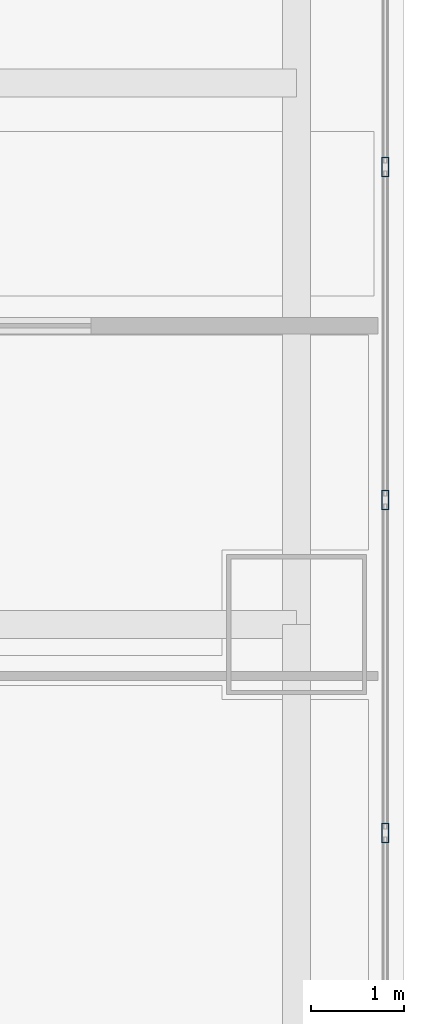
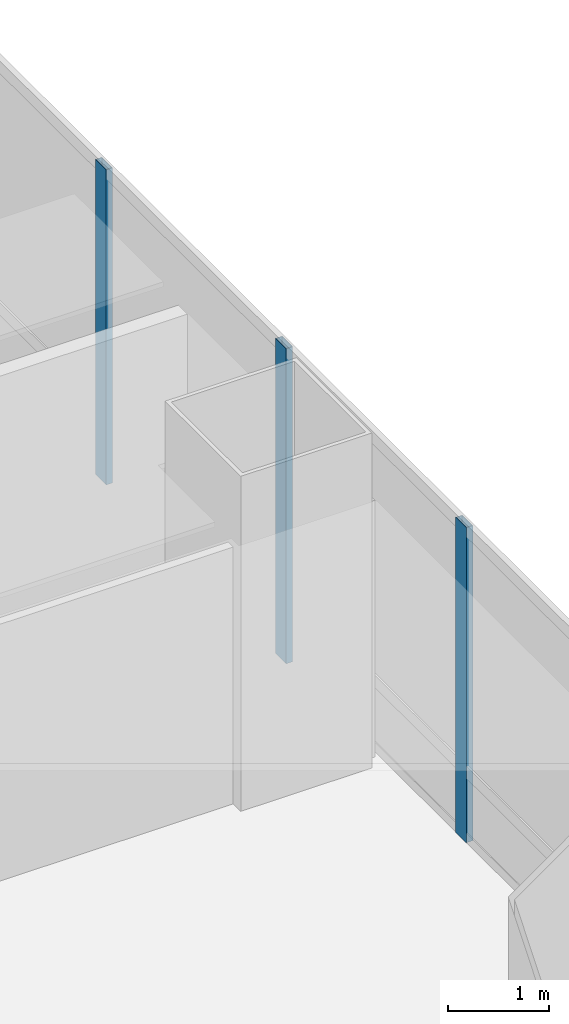
# One storey, part 17 of 35: 3 members, 1 element without a shape of its own.
"""IFC4 building model written with IfcOpenShell, lengths in metres."""

from ifc_helpers import new_model, si_unit, direction, frame, origin, origin_2d, place, context, subcontext, project, spatial, hollow_rectangle, extrude, material, material_profile, profile_set, type_object, element, aggregate, save


model = new_model("IFC4")

# Units and contexts
model_context = context("Model", 3, precision=1e-05, world=origin(), true_north=direction((0.0, 1.0)))
body_context = subcontext(model_context, "Body", "Model", "MODEL_VIEW")
ifc_project = project(units=[si_unit("LENGTHUNIT", "METRE"), si_unit("AREAUNIT", "SQUARE_METRE"), si_unit("VOLUMEUNIT", "CUBIC_METRE"), si_unit("PLANEANGLEUNIT", "RADIAN"), si_unit("MASSUNIT", "GRAM", prefix="KILO")], contexts=[model_context])

# Site, building, storey
site_placement = place(None, origin())
site = spatial("IfcSite", under=ifc_project, at=site_placement, CompositionType="ELEMENT")
building_placement = place(site_placement, origin())
building = spatial("IfcBuilding", under=site, at=building_placement, Name="Punatoya Terracotta Tower", CompositionType="ELEMENT")
storey_placement = place(building_placement, frame((0.0, 0.0, 52.5)))
storey = spatial("IfcBuildingStorey", under=building, at=storey_placement, Name="L11", CompositionType="ELEMENT", Elevation=52.5)

# Curtain wall, members
ifc_material_1 = material(Name="Aluminium 6063-T6 + Double Low-E Glass", Category="aluminium")
curtain_wall_type = type_object("IfcCurtainWallType", Name="CW-M1", PredefinedType="NOTDEFINED", material=ifc_material_1)
curtain_wall_placement = place(storey_placement, origin())
curtain_wall = element("IfcCurtainWall", 1, at=curtain_wall_placement, inside=storey, type_object=curtain_wall_type, Name="L11 Curtain Wall CW-L11-E05-1", PredefinedType="NOTDEFINED")
ifc_material_2 = material(Name="Aluminium 6063-T6", Category="aluminium")
ifc_material_profile = material_profile(ifc_material_2, hollow_rectangle(XDim=0.074951171875, YDim=0.2099609375, WallThickness=0.00439453125, at=origin_2d()))
ifc_profile_set = profile_set([ifc_material_profile], Name="Aluminium 6063-T6")
member_type = type_object("IfcMemberType", Name="CW-MUL-M1", PredefinedType="MULLION", material=ifc_profile_set)
member_1_placement = place(storey_placement, frame((20.050048828125, 1.16748046875, 0.0), z_axis=(0.0, 0.0, 1.0), x_axis=(1.0, 0.0, 0.0)))
member_1 = element("IfcMember", 2, at=member_1_placement, type_object=member_type, Name="CW-L11-E05-1 Mullion 06", PredefinedType="MULLION", context=body_context, shape_type="SweptSolid", body=[
    extrude(hollow_rectangle(XDim=0.074951171875, YDim=0.2099609375, WallThickness=0.00439453125, at=origin_2d()), origin(), (0.0, 0.0, 1.0), 3.81005859375),
])
member_2_placement = place(storey_placement, frame((20.050048828125, 4.73486328125, 0.0), z_axis=(0.0, 0.0, 1.0), x_axis=(1.0, 0.0, 0.0)))
member_2 = element("IfcMember", 3, at=member_2_placement, type_object=member_type, Name="CW-L11-E05-1 Mullion 07", PredefinedType="MULLION", context=body_context, shape_type="SweptSolid", body=[
    extrude(hollow_rectangle(XDim=0.074951171875, YDim=0.2099609375, WallThickness=0.00439453125, at=origin_2d()), origin(), (0.0, 0.0, 1.0), 3.81005859375),
])
member_3_placement = place(storey_placement, frame((20.050048828125, 8.302001953125, 0.0), z_axis=(0.0, 0.0, 1.0), x_axis=(1.0, 0.0, 0.0)))
member_3 = element("IfcMember", 4, at=member_3_placement, type_object=member_type, Name="CW-L11-E05-1 Mullion 08", PredefinedType="MULLION", context=body_context, shape_type="SweptSolid", body=[
    extrude(hollow_rectangle(XDim=0.074951171875, YDim=0.2099609375, WallThickness=0.00439453125, at=origin_2d()), origin(), (0.0, 0.0, 1.0), 3.81005859375),
])
aggregate(curtain_wall, [member_1, member_2, member_3])

save(model, "model.ifc")
